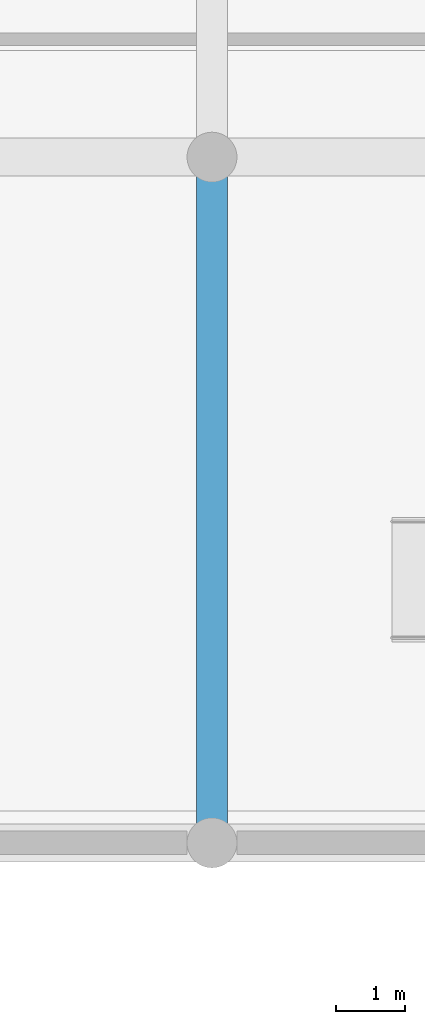
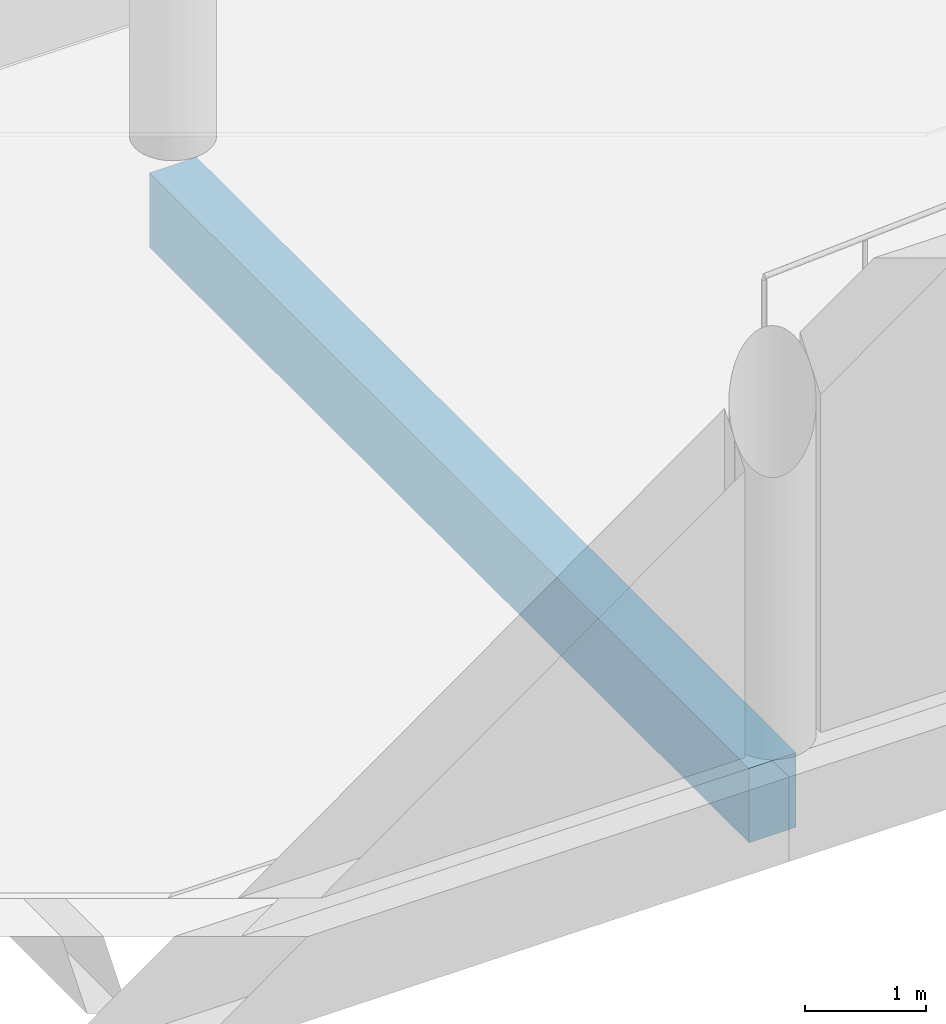
# One storey, part 17 of 74: 1 beam.
"""IFC4 building model written with IfcOpenShell, lengths in metres."""

from ifc_helpers import new_model, si_unit, direction, frame, origin, origin_2d, place, context, subcontext, project, spatial, rectangle, extrude, material, material_profile, profile_set, type_object, element, save


model = new_model("IFC4")

# Units and contexts
model_context = context("Model", 3, precision=1e-05, world=origin(), true_north=direction((0.0, 1.0)))
body_context = subcontext(model_context, "Body", "Model", "MODEL_VIEW")
ifc_project = project(units=[si_unit("LENGTHUNIT", "METRE"), si_unit("AREAUNIT", "SQUARE_METRE"), si_unit("VOLUMEUNIT", "CUBIC_METRE"), si_unit("PLANEANGLEUNIT", "RADIAN"), si_unit("MASSUNIT", "GRAM", prefix="KILO")], contexts=[model_context])

# Site, building, storey
site_placement = place(None, origin())
site = spatial("IfcSite", under=ifc_project, at=site_placement, CompositionType="ELEMENT")
building_placement = place(site_placement, origin())
building = spatial("IfcBuilding", under=site, at=building_placement, Name="Sillaruma Civic Art Gallery", CompositionType="ELEMENT")
storey_placement = place(building_placement, frame((0.0, 0.0, 5.43994140625)))
storey = spatial("IfcBuildingStorey", under=building, at=storey_placement, Name="L01", CompositionType="ELEMENT", Elevation=5.43994140625)

# Beam
ifc_material = material(Name="Concrete H40 (40 MPa)", Category="concrete")
ifc_material_profile = material_profile(ifc_material, rectangle(XDim=0.449951171875, YDim=0.75, at=origin_2d()), Name="RCB450x750")
ifc_profile_set = profile_set([ifc_material_profile], Name="Concrete H40 (40 MPa)")
beam_type = type_object("IfcBeamType", Name="BM-BEAM-RCB450x750", PredefinedType="BEAM", material=ifc_profile_set)
beam_placement = place(storey_placement, frame((12.39990234375, 79.199951171875, -0.635009765625), z_axis=(0.0, 1.0, 0.0), x_axis=(-1.0, 0.0, 0.0)))
element("IfcBeam", 1, at=beam_placement, inside=storey, type_object=beam_type, Name="Beam BM-03 (L00:B:9-10)", PredefinedType="BEAM", context=body_context, shape_type="SweptSolid", body=[
    extrude(rectangle(XDim=0.449951171875, YDim=0.75, at=origin_2d()), origin(), (0.0, 0.0, 1.0), 9.900146484375),
])

save(model, "model.ifc")
